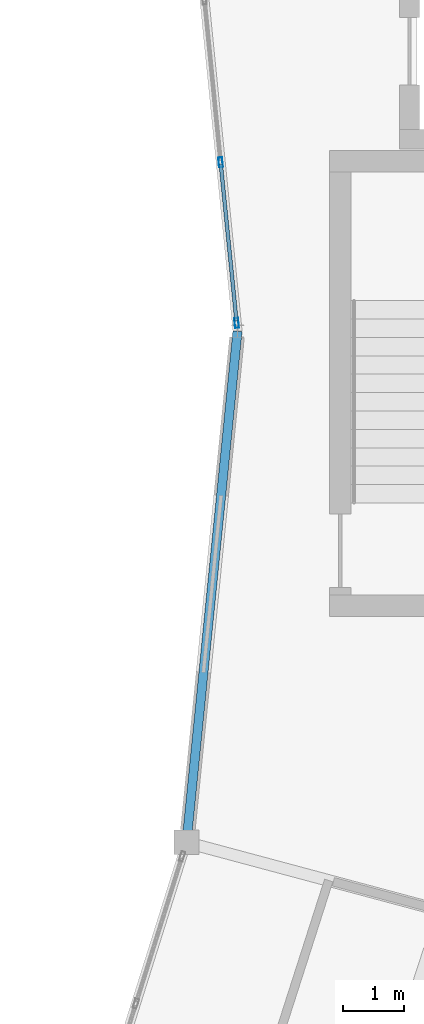
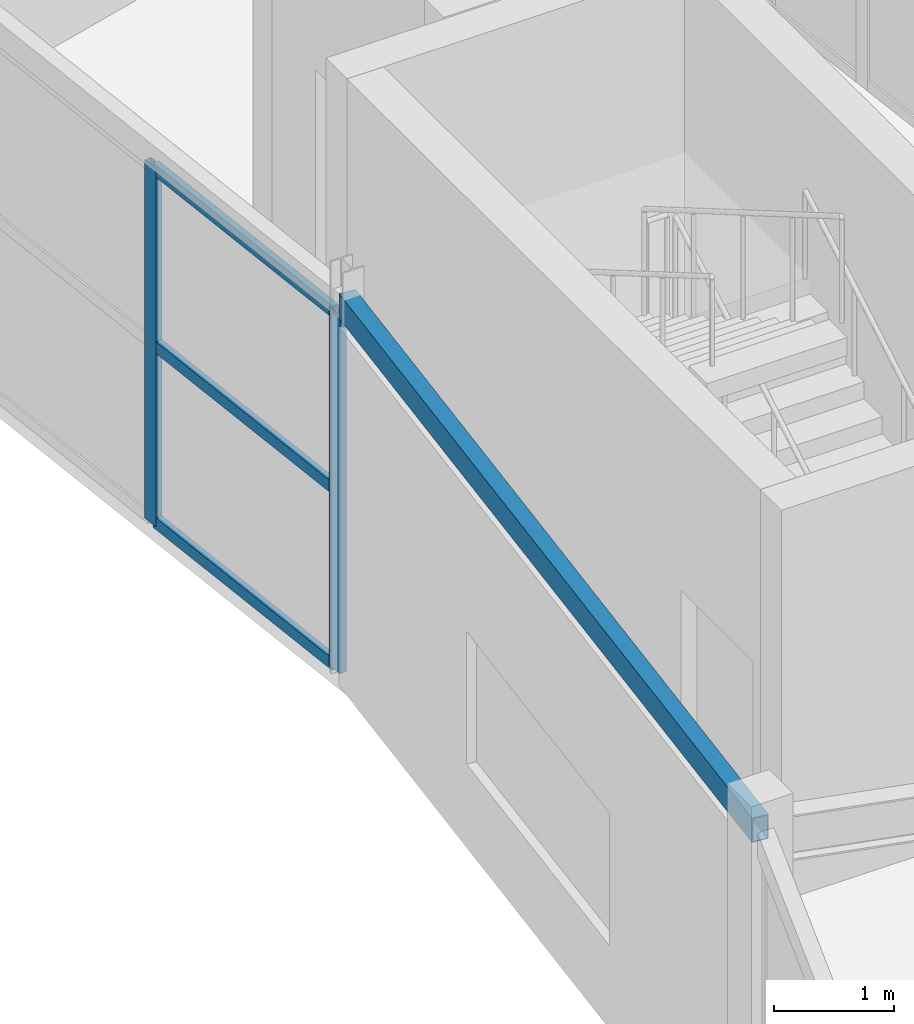
# One storey, part 60 of 134: 5 members, 1 beam, 1 element without a shape of its own.
"""IFC4 building model written with IfcOpenShell, lengths in metres."""

from ifc_helpers import new_model, si_unit, direction, frame, origin, origin_2d, place, context, subcontext, project, spatial, hollow_rectangle, extrude, material, material_profile, profile_set, type_object, element, aggregate, save


model = new_model("IFC4")

# Units and contexts
model_context = context("Model", 3, precision=1e-05, world=origin(), true_north=direction((0.0, 1.0)))
body_context = subcontext(model_context, "Body", "Model", "MODEL_VIEW")
ifc_project = project(units=[si_unit("LENGTHUNIT", "METRE"), si_unit("AREAUNIT", "SQUARE_METRE"), si_unit("VOLUMEUNIT", "CUBIC_METRE"), si_unit("PLANEANGLEUNIT", "RADIAN"), si_unit("MASSUNIT", "GRAM", prefix="KILO")], contexts=[model_context])

# Site, building, storey
site_placement = place(None, origin())
site = spatial("IfcSite", under=ifc_project, at=site_placement, CompositionType="ELEMENT")
building_placement = place(site_placement, origin())
building = spatial("IfcBuilding", under=site, at=building_placement, Name="Karori Crest Natural Sciences Institute", CompositionType="ELEMENT")
storey_placement = place(building_placement, frame((0.0, 0.0, 21.699951171875)))
storey = spatial("IfcBuildingStorey", under=building, at=storey_placement, Name="L05", CompositionType="ELEMENT", Elevation=21.699951171875)

# Beam
ifc_material_1 = material(Name="Hollow structural steel AS/NZS 1163 Grade C350", Category="steel")
ifc_material_profile_1 = material_profile(ifc_material_1, hollow_rectangle(XDim=0.14990234375, YDim=0.25, WallThickness=0.009033203125, at=origin_2d()), Name="RHS250x150x9")
ifc_profile_set_1 = profile_set([ifc_material_profile_1], Name="Hollow structural steel AS/NZS 1163 Grade C350")
beam_type = type_object("IfcBeamType", Name="BT-16", PredefinedType="SPANDREL", material=ifc_profile_set_1)
beam_placement = place(storey_placement, frame((89.968505859375, 41.56591796875, 3.7900390625), z_axis=(0.099284371237, 0.99505910057, 0.0), x_axis=(-0.99505910057, 0.099284371237, 0.0)))
element("IfcBeam", 1, at=beam_placement, inside=storey, type_object=beam_type, Name="Beam B-0617", PredefinedType="SPANDREL", context=body_context, shape_type="SweptSolid", body=[
    extrude(hollow_rectangle(XDim=0.14990234375, YDim=0.25, WallThickness=0.009033203125, at=origin_2d()), origin(), (0.0, 0.0, 1.0), 8.37548828125),
])

# Curtain wall, members
ifc_material_2 = material(Name="Anodised architectural aluminium 6063-T6", Category="aluminium")
curtain_wall_type = type_object("IfcCurtainWallType", Name="CWT-11", PredefinedType="NOTDEFINED", material=ifc_material_2)
curtain_wall_placement = place(storey_placement, origin())
curtain_wall = element("IfcCurtainWall", 2, at=curtain_wall_placement, inside=storey, type_object=curtain_wall_type, Name="Curtain wall CW-0173", PredefinedType="NOTDEFINED")
ifc_material_profile_2 = material_profile(ifc_material_2, hollow_rectangle(XDim=0.06494140625, YDim=0.159912109375, WallThickness=0.00390625, at=origin_2d()), Name="CWM160x65x4")
ifc_profile_set_2 = profile_set([ifc_material_profile_2], Name="Anodised architectural aluminium 6063-T6")
member_type_1 = type_object("IfcMemberType", Name="CWM-01", PredefinedType="MULLION", material=ifc_profile_set_2)
member_1_placement = place(storey_placement, frame((90.786376953125, 50.035400390625, 0.0), z_axis=(0.0, 0.0, 1.0), x_axis=(-0.995060684604, -0.099268494275, 0.0)))
member_1 = element("IfcMember", 3, at=member_1_placement, type_object=member_type_1, Name="CW-0173 mullion 1", PredefinedType="MULLION", context=body_context, shape_type="SweptSolid", body=[
    extrude(hollow_rectangle(XDim=0.06494140625, YDim=0.159912109375, WallThickness=0.00390625, at=origin_2d()), origin(), (0.0, 0.0, 1.0), 3.650146484375),
])
member_2_placement = place(storey_placement, frame((90.525146484375, 52.65576171875, 0.0), z_axis=(0.0, 0.0, 1.0), x_axis=(-0.995060684604, -0.099268494275, 0.0)))
member_2 = element("IfcMember", 4, at=member_2_placement, type_object=member_type_1, Name="CW-0173 mullion 2", PredefinedType="MULLION", context=body_context, shape_type="SweptSolid", body=[
    extrude(hollow_rectangle(XDim=0.06494140625, YDim=0.159912109375, WallThickness=0.00390625, at=origin_2d()), origin(), (0.0, 0.0, 1.0), 3.650146484375),
])
ifc_material_profile_3 = material_profile(ifc_material_2, hollow_rectangle(XDim=0.06005859375, YDim=0.1201171875, WallThickness=0.00390625, at=origin_2d()), Name="CWT120x60x4")
ifc_profile_set_3 = profile_set([ifc_material_profile_3], Name="Anodised architectural aluminium 6063-T6")
member_type_2 = type_object("IfcMemberType", Name="CWT-TR1", PredefinedType="USERDEFINED", material=ifc_profile_set_3)
member_3_placement = place(storey_placement, frame((90.783203125, 50.067626953125, 0.030029296875), z_axis=(-0.099240189366, 0.99506350793, 0.0), x_axis=(-0.99506350793, -0.099240189366, 0.0)))
member_3 = element("IfcMember", 5, at=member_3_placement, type_object=member_type_2, Name="CW-0173 transom 1.1", ObjectType="TRANSOM", PredefinedType="USERDEFINED", context=body_context, shape_type="SweptSolid", body=[
    extrude(hollow_rectangle(XDim=0.06005859375, YDim=0.1201171875, WallThickness=0.00390625, at=origin_2d()), origin(), (0.0, 0.0, 1.0), 2.568359375),
])
member_4_placement = place(storey_placement, frame((90.783203125, 50.067626953125, 1.824951171875), z_axis=(-0.099240189366, 0.99506350793, 0.0), x_axis=(-0.99506350793, -0.099240189366, 0.0)))
member_4 = element("IfcMember", 6, at=member_4_placement, type_object=member_type_2, Name="CW-0173 transom 1.2", ObjectType="TRANSOM", PredefinedType="USERDEFINED", context=body_context, shape_type="SweptSolid", body=[
    extrude(hollow_rectangle(XDim=0.06005859375, YDim=0.1201171875, WallThickness=0.00390625, at=origin_2d()), origin(), (0.0, 0.0, 1.0), 2.568359375),
])
member_5_placement = place(storey_placement, frame((90.783203125, 50.067626953125, 3.6201171875), z_axis=(-0.099240189366, 0.99506350793, 0.0), x_axis=(-0.99506350793, -0.099240189366, 0.0)))
member_5 = element("IfcMember", 7, at=member_5_placement, type_object=member_type_2, Name="CW-0173 transom 1.3", ObjectType="TRANSOM", PredefinedType="USERDEFINED", context=body_context, shape_type="SweptSolid", body=[
    extrude(hollow_rectangle(XDim=0.06005859375, YDim=0.1201171875, WallThickness=0.00390625, at=origin_2d()), origin(), (0.0, 0.0, 1.0), 2.568359375),
])
aggregate(curtain_wall, [member_1, member_2, member_3, member_4, member_5])

save(model, "model.ifc")
